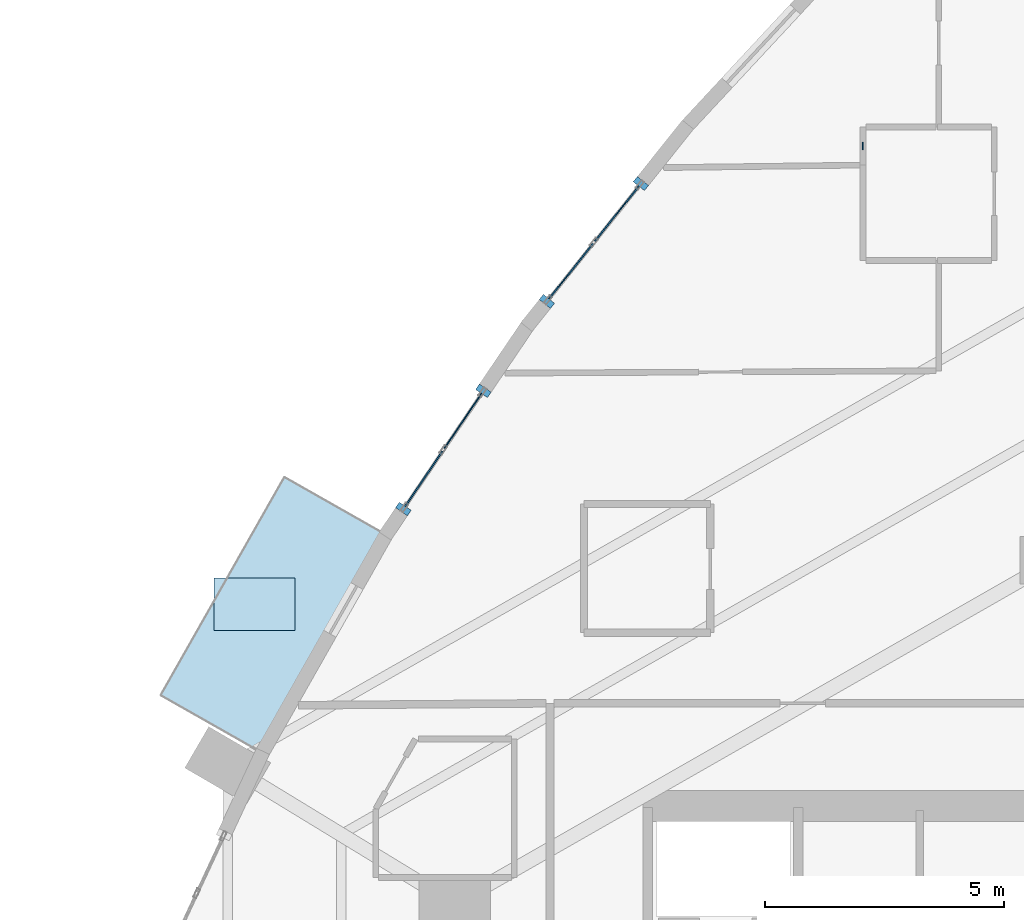
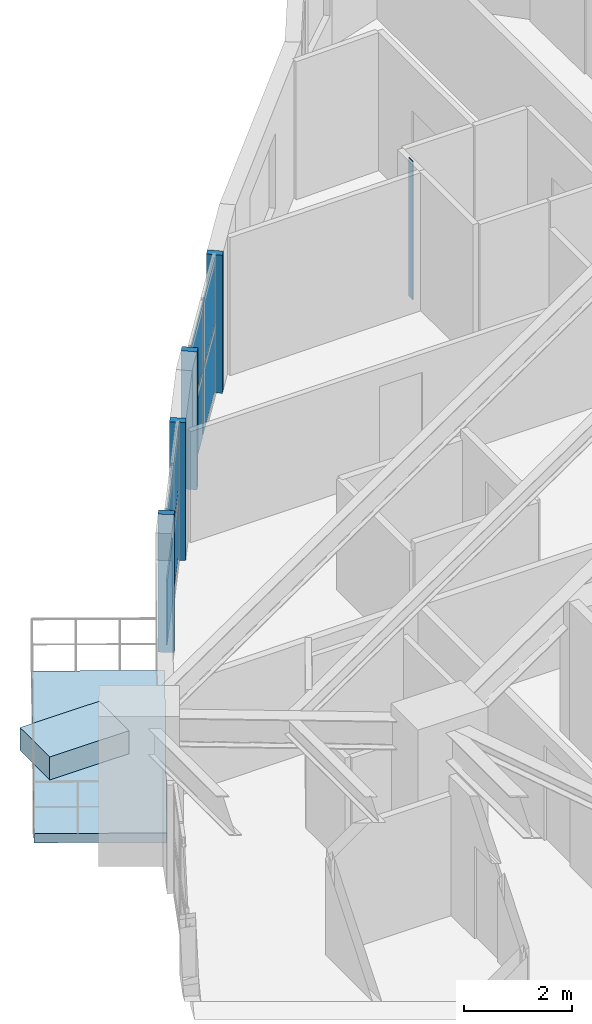
# One storey, part 9 of 17: 13 plates, 2 slabs, 2 elements without a shape of their own.
"""IFC4 building model written with IfcOpenShell, lengths in metres."""

import ifcopenshell
import ifcopenshell.guid

model = None  # the IFC model being written
_history = None  # IfcOwnerHistory: only IFC2X3 demands one
_inside = {}  # id of a spatial element -> (the spatial element, [elements in it])
_under = {}  # id of a project, library or spatial element -> (it, [spatial elements below it])
_declared = {}  # id of a project -> (the project, [libraries it declares])
_typed = {}  # id of a type object -> (the type object, [elements of that type])
_made_of = {}  # id of a material, layer set ... -> (it, [elements and type objects made of it])


def new_model(schema):
    """Start an empty IFC model of exactly this schema.

    Asked for "IFC4X3", IfcOpenShell would pick the latest addendum, in which some entities
    have other attributes; the version numbers below select the first issue.
    IFC2X3 requires an IfcOwnerHistory on every rooted entity: one is made here for all.
    """
    global model, _history
    if schema == "IFC4X3":
        model = ifcopenshell.file(schema_version=(4, 3, 0, 0))
    else:
        model = ifcopenshell.file(schema=schema)
    _inside.clear()
    _under.clear()
    _declared.clear()
    _typed.clear()
    _made_of.clear()
    _history = None
    if model.schema == "IFC2X3":
        org = make("IfcOrganization", Name="unknown")
        user = make(
            "IfcPersonAndOrganization",
            ThePerson=make("IfcPerson", FamilyName="unknown"),
            TheOrganization=org,
        )
        app = make(
            "IfcApplication",
            ApplicationDeveloper=org,
            Version="unknown",
            ApplicationFullName="unknown",
            ApplicationIdentifier="unknown",
        )
        _history = make(
            "IfcOwnerHistory",
            OwningUser=user,
            OwningApplication=app,
            ChangeAction="ADDED",
            CreationDate=0,
        )
    return model


def make(cls, **values):
    """One entity of the class cls with the attributes given. An attribute that is None is left unset."""
    return model.create_entity(
        cls, **{name: value for name, value in values.items() if value is not None}
    )


def rooted(cls, **values):
    """An entity with a GlobalId (a new one), such as an element, a storey or a relation."""
    return make(cls, GlobalId=ifcopenshell.guid.new(), OwnerHistory=_history, **values)


def si_unit(unit_type, name, prefix=None):
    """IfcSIUnit, for example si_unit("LENGTHUNIT", "METRE", prefix="MILLI")."""
    return make("IfcSIUnit", UnitType=unit_type, Prefix=prefix, Name=name)


def assignment(units):
    """IfcUnitAssignment: the units of a project."""
    return None if units is None else make("IfcUnitAssignment", Units=units)


def point(xyz):
    """IfcCartesianPoint."""
    return None if xyz is None else make("IfcCartesianPoint", Coordinates=xyz)


def direction(xyz):
    """IfcDirection."""
    return None if xyz is None else make("IfcDirection", DirectionRatios=xyz)


def frame(location, z_axis=None, x_axis=None):
    """IfcAxis2Placement3D, a coordinate frame: its origin and axes. An axis left out is left unset."""
    return make(
        "IfcAxis2Placement3D",
        Location=point(location),
        Axis=direction(z_axis),
        RefDirection=direction(x_axis),
    )


def frame_2d(location, x_axis=None):
    """IfcAxis2Placement2D, a coordinate frame in the plane: its origin and x axis."""
    return make(
        "IfcAxis2Placement2D", Location=point(location), RefDirection=direction(x_axis)
    )


def origin():
    """The frame at (0, 0, 0) with its axes left unset."""
    return frame((0.0, 0.0, 0.0))


def origin_2d():
    """The frame at (0, 0) in the plane with its x axis left unset."""
    return frame_2d((0.0, 0.0))


def place(relative_to, where):
    """IfcLocalPlacement: puts the frame where relative to a parent placement (None: the world)."""
    return make(
        "IfcLocalPlacement", PlacementRelTo=relative_to, RelativePlacement=where
    )


def context(
    kind, dimensions, precision=None, world=None, true_north=None, identifier=None
):
    """IfcGeometricRepresentationContext, for example the 3D "Model" context."""
    return make(
        "IfcGeometricRepresentationContext",
        ContextIdentifier=identifier,
        ContextType=kind,
        CoordinateSpaceDimension=dimensions,
        Precision=precision,
        WorldCoordinateSystem=world,
        TrueNorth=true_north,
    )


def subcontext(parent, identifier, kind, view, scale=None):
    """IfcGeometricRepresentationSubContext, for example "Body" below "Model"."""
    return make(
        "IfcGeometricRepresentationSubContext",
        ContextIdentifier=identifier,
        ContextType=kind,
        ParentContext=parent,
        TargetScale=scale,
        TargetView=view,
    )


def project(units=None, contexts=None):
    """IfcProject with its units and contexts."""
    return rooted(
        "IfcProject",
        Name="project",
        RepresentationContexts=contexts,
        UnitsInContext=assignment(units),
    )


def spatial(cls, under=None, at=None, **own):
    """A site, building, storey or space (cls), placed at a placement, below another one or the project."""
    s = rooted(cls, ObjectPlacement=at, **own)
    if under is not None:
        _under.setdefault(under.id(), (under, []))[1].append(s)
    return s


def polyline(points):
    """IfcPolyline through the points."""
    return make("IfcPolyline", Points=[point(p) for p in points])


def profile(cls, at=None, kind="AREA", **sizes):
    """A parametric profile (cls). Its sizes go by their IFC names, for example OverallWidth=200.0."""
    return make(cls, ProfileType=kind, Position=at, **sizes)


def rectangle(**sizes):
    """IfcRectangleProfileDef."""
    return profile("IfcRectangleProfileDef", **sizes)


def outline(outer, holes=None, kind="AREA"):
    """IfcArbitraryClosedProfileDef: a profile drawn as a closed curve; with holes, ...WithVoids."""
    if holes is None:
        return make("IfcArbitraryClosedProfileDef", ProfileType=kind, OuterCurve=outer)
    return make(
        "IfcArbitraryProfileDefWithVoids",
        ProfileType=kind,
        OuterCurve=outer,
        InnerCurves=holes,
    )


def extrude(swept, where, along, depth):
    """IfcExtrudedAreaSolid: the profile swept, set in the frame where, extruded along a direction by depth."""
    return make(
        "IfcExtrudedAreaSolid",
        SweptArea=swept,
        Position=where,
        ExtrudedDirection=direction(along),
        Depth=depth,
    )


def shape(context_of_items, identifier, shape_type, items):
    """IfcShapeRepresentation: the items that make up one representation, for example the "Body"."""
    return make(
        "IfcShapeRepresentation",
        ContextOfItems=context_of_items,
        RepresentationIdentifier=identifier,
        RepresentationType=shape_type,
        Items=items,
    )


def material(Name=None, Category=None):
    """IfcMaterial."""
    return make("IfcMaterial", Name=Name, Category=Category)


def layer(
    of_material, thickness, ventilated=None, Name=None, Category=None, Priority=None
):
    """IfcMaterialLayer: one layer of a wall or slab, of a material (None: an air gap)."""
    return make(
        "IfcMaterialLayer",
        Material=of_material,
        LayerThickness=thickness,
        IsVentilated=ventilated,
        Name=Name,
        Category=Category,
        Priority=Priority,
    )


def layer_set(layers, Name=None):
    """IfcMaterialLayerSet."""
    return make("IfcMaterialLayerSet", MaterialLayers=layers, LayerSetName=Name)


def made_of(thing, what):
    """Note that an element or type object is made of a material, layer set ...; save() writes the relation."""
    if what is not None:
        _made_of.setdefault(what.id(), (what, []))[1].append(thing)
    return thing


def type_object(cls, material=None, **own):
    """A type object (cls), such as IfcWallType, which elements share."""
    return made_of(rooted(cls, **own), material)


def element(
    cls,
    number,
    at=None,
    inside=None,
    cuts=None,
    type_object=None,
    material=None,
    context=None,
    identifier="Body",
    shape_type=None,
    held_by="IfcProductDefinitionShape",
    body=None,
    shapes=None,
    **own,
):
    """One element of the class cls, such as IfcWall. Its Tag is "e" and its number.

    at: its placement. inside: the storey or other place that contains it. cuts: it is an
    opening in that element (IfcRelVoidsElement). A single representation is given by context,
    identifier, shape_type and body (its items); several are given by shapes. held_by: the class
    of the entity that holds the representations. save() writes the other relations.
    """
    e = rooted(cls, Tag="e%d" % number, ObjectPlacement=at, **own)
    if body is not None:
        shapes = [shape(context, identifier, shape_type, body)]
    if shapes is not None:
        e.Representation = make(held_by, Representations=shapes)
    if inside is not None:
        _inside.setdefault(inside.id(), (inside, []))[1].append(e)
    if cuts is not None:
        rooted(
            "IfcRelVoidsElement", RelatingBuildingElement=cuts, RelatedOpeningElement=e
        )
    if type_object is not None:
        _typed.setdefault(type_object.id(), (type_object, []))[1].append(e)
    return made_of(e, material)


def aggregate(whole, parts):
    """IfcRelAggregates: a whole, such as a stair, and the parts it consists of."""
    return rooted("IfcRelAggregates", RelatingObject=whole, RelatedObjects=parts)


def save(model, path):
    """Write the relations noted so far, then the file.

    IfcRelAggregates (storeys below a building ...), IfcRelContainedInSpatialStructure (elements
    in a storey), IfcRelDefinesByType, IfcRelAssociatesMaterial and IfcRelDeclares: one each for
    every whole, place, type object, material and project.
    """
    for whole, parts in _under.values():
        aggregate(whole, parts)
    for where, things in _inside.values():
        rooted(
            "IfcRelContainedInSpatialStructure",
            RelatedElements=things,
            RelatingStructure=where,
        )
    for kind, things in _typed.values():
        rooted("IfcRelDefinesByType", RelatedObjects=things, RelatingType=kind)
    for what, things in _made_of.values():
        rooted("IfcRelAssociatesMaterial", RelatedObjects=things, RelatingMaterial=what)
    for by, libraries in _declared.values():
        rooted("IfcRelDeclares", RelatingContext=by, RelatedDefinitions=libraries)
    model.write(path)


model = new_model("IFC4")

# Units and contexts
model_context = context("Model", 3, precision=1e-05, world=origin(), true_north=direction((0.0, 1.0)))
body_context = subcontext(model_context, "Body", "Model", "MODEL_VIEW")
ifc_project = project(units=[si_unit("LENGTHUNIT", "METRE"), si_unit("AREAUNIT", "SQUARE_METRE"), si_unit("VOLUMEUNIT", "CUBIC_METRE"), si_unit("PLANEANGLEUNIT", "RADIAN"), si_unit("MASSUNIT", "GRAM", prefix="KILO")], contexts=[model_context])

# Site, building, storey
site_placement = place(None, origin())
site = spatial("IfcSite", under=ifc_project, at=site_placement, CompositionType="ELEMENT")
building_placement = place(site_placement, origin())
building = spatial("IfcBuilding", under=site, at=building_placement, Name="Miruveldt Soraemaru", CompositionType="ELEMENT")
storey_placement = place(building_placement, frame((0.0, 0.0, 53.0)))
storey = spatial("IfcBuildingStorey", under=building, at=storey_placement, Name="L14", CompositionType="ELEMENT", Elevation=53.0)

# Curtain wall, plates
ifc_material_1 = material(Name="Anodised aluminium EN AW-6063 T6", Category="aluminium")
ifc_layer_1 = layer(ifc_material_1, 0.199951171875, Name="Anodised aluminium EN AW-6063 T6", Category="aluminium")
ifc_layer_set_1 = layer_set([ifc_layer_1], Name="Anodised aluminium EN AW-6063 T6")
curtain_wall_type = type_object("IfcCurtainWallType", Name="CW-SYS-3", PredefinedType="USERDEFINED", material=ifc_layer_set_1)
curtain_wall_1_placement = place(storey_placement, origin())
curtain_wall_1 = element("IfcCurtainWall", 1, at=curtain_wall_1_placement, inside=storey, type_object=curtain_wall_type, Name="L14 Curtain Wall Bay 8", ObjectType="UNITISED GLAZING", PredefinedType="USERDEFINED")
ifc_material_2 = material(Name="Triple low-e insulated glazing", Category="glass")
ifc_layer_2 = layer(ifc_material_2, 0.030029296875, Name="Triple low-e insulated glazing", Category="glass")
ifc_layer_set_2 = layer_set([ifc_layer_2], Name="Triple low-e insulated glazing")
plate_type_1 = type_object("IfcPlateType", Name="CWP-3", PredefinedType="CURTAIN_PANEL", material=ifc_layer_set_2)
plate_1_placement = place(storey_placement, frame((34.802001953125, 64.862060546875, 0.070068359375), z_axis=(0.0, 0.0, 1.0), x_axis=(-0.623606144518, -0.78173868813, 0.0)))
plate_1 = element("IfcPlate", 2, at=plate_1_placement, type_object=plate_type_1, Name="CW-3 panel 1.1", PredefinedType="CURTAIN_PANEL", context=body_context, shape_type="SweptSolid", body=[
    extrude(rectangle(XDim=1.47509765625, YDim=0.030029296875, at=origin_2d()), origin(), (0.0, 0.0, 1.0), 1.45751953125),
])
plate_2_placement = place(storey_placement, frame((34.802001953125, 64.862060546875, 1.597412109375), z_axis=(0.0, 0.0, 1.0), x_axis=(-0.623606144518, -0.78173868813, 0.0)))
plate_2 = element("IfcPlate", 3, at=plate_2_placement, type_object=plate_type_1, Name="CW-3 panel 1.2", PredefinedType="CURTAIN_PANEL", context=body_context, shape_type="SweptSolid", body=[
    extrude(rectangle(XDim=1.47509765625, YDim=0.030029296875, at=origin_2d()), origin(), (0.0, 0.0, 1.0), 1.45751953125),
])
plate_3_placement = place(storey_placement, frame((33.83837890625, 63.654052734375, 0.070068359375), z_axis=(0.0, 0.0, 1.0), x_axis=(-0.623606144518, -0.78173868813, 0.0)))
plate_3 = element("IfcPlate", 4, at=plate_3_placement, type_object=plate_type_1, Name="CW-3 panel 2.1", PredefinedType="CURTAIN_PANEL", context=body_context, shape_type="SweptSolid", body=[
    extrude(rectangle(XDim=1.47509765625, YDim=0.030029296875, at=origin_2d()), origin(), (0.0, 0.0, 1.0), 1.45751953125),
])
plate_4_placement = place(storey_placement, frame((33.83837890625, 63.654052734375, 1.597412109375), z_axis=(0.0, 0.0, 1.0), x_axis=(-0.623606144518, -0.78173868813, 0.0)))
plate_4 = element("IfcPlate", 5, at=plate_4_placement, type_object=plate_type_1, Name="CW-3 panel 2.2", PredefinedType="CURTAIN_PANEL", context=body_context, shape_type="SweptSolid", body=[
    extrude(rectangle(XDim=1.47509765625, YDim=0.030029296875, at=origin_2d()), origin(), (0.0, 0.0, 1.0), 1.45751953125),
])
aggregate(curtain_wall_1, [plate_1, plate_2, plate_3, plate_4])

curtain_wall_2_placement = place(storey_placement, origin())
curtain_wall_2 = element("IfcCurtainWall", 6, at=curtain_wall_2_placement, inside=storey, type_object=curtain_wall_type, Name="L14 Curtain Wall Bay 9", ObjectType="UNITISED GLAZING", PredefinedType="USERDEFINED")
plate_5_placement = place(storey_placement, frame((31.5751953125, 60.515625, 0.070068359375), z_axis=(0.0, 0.0, 1.0), x_axis=(-0.560834099529, -0.827928205104, 0.0)))
plate_5 = element("IfcPlate", 7, at=plate_5_placement, type_object=plate_type_1, Name="CW-3 panel 1.1", PredefinedType="CURTAIN_PANEL", context=body_context, shape_type="SweptSolid", body=[
    extrude(rectangle(XDim=1.390625, YDim=0.030029296875, at=origin_2d()), origin(), (0.0, 0.0, 1.0), 1.45751953125),
])
plate_6_placement = place(storey_placement, frame((31.5751953125, 60.515625, 1.597412109375), z_axis=(0.0, 0.0, 1.0), x_axis=(-0.560834099529, -0.827928205104, 0.0)))
plate_6 = element("IfcPlate", 8, at=plate_6_placement, type_object=plate_type_1, Name="CW-3 panel 1.2", PredefinedType="CURTAIN_PANEL", context=body_context, shape_type="SweptSolid", body=[
    extrude(rectangle(XDim=1.390625, YDim=0.030029296875, at=origin_2d()), origin(), (0.0, 0.0, 1.0), 1.45751953125),
])
plate_7_placement = place(storey_placement, frame((30.756103515625, 59.306396484375, 0.070068359375), z_axis=(0.0, 0.0, 1.0), x_axis=(-0.560834099529, -0.827928205104, 0.0)))
plate_7 = element("IfcPlate", 9, at=plate_7_placement, type_object=plate_type_1, Name="CW-3 panel 2.1", PredefinedType="CURTAIN_PANEL", context=body_context, shape_type="SweptSolid", body=[
    extrude(rectangle(XDim=1.390625, YDim=0.030029296875, at=origin_2d()), origin(), (0.0, 0.0, 1.0), 1.45751953125),
])
plate_8_placement = place(storey_placement, frame((30.756103515625, 59.306396484375, 1.597412109375), z_axis=(0.0, 0.0, 1.0), x_axis=(-0.560834099529, -0.827928205104, 0.0)))
plate_8 = element("IfcPlate", 10, at=plate_8_placement, type_object=plate_type_1, Name="CW-3 panel 2.2", PredefinedType="CURTAIN_PANEL", context=body_context, shape_type="SweptSolid", body=[
    extrude(rectangle(XDim=1.390625, YDim=0.030029296875, at=origin_2d()), origin(), (0.0, 0.0, 1.0), 1.45751953125),
])
aggregate(curtain_wall_2, [plate_5, plate_6, plate_7, plate_8])

# Plates
ifc_layer_3 = layer(ifc_material_1, 0.030029296875, Name="Anodised aluminium EN AW-6063 T6", Category="aluminium")
ifc_layer_set_3 = layer_set([ifc_layer_3], Name="Anodised aluminium EN AW-6063 T6")
plate_type_2 = type_object("IfcPlateType", Name="PLT-JAMB-30", PredefinedType="SHEET", material=ifc_layer_set_3)
for number, where, z_axis, x_axis, name in (
    (11, (35.305419921875, 65.4931640625, 0.0), (0.0, 0.0, 1.0), (-0.623606756598, -0.781738199863, 0.0), "L14 Curtain Wall Jamb Closure Trim 8JL"),
    (12, (33.3349609375, 63.02294921875, 0.0), (0.0, 0.0, 1.0), (-0.623606756598, -0.781738199863, 0.0), "L14 Curtain Wall Jamb Closure Trim 8JR"),
    (13, (32.00439453125, 61.1494140625, 0.0), (0.0, 0.0, 1.0), (-0.560841311134, -0.827923319955, 0.0), "L14 Curtain Wall Jamb Closure Trim 9JL"),
    (14, (30.326904296875, 58.6728515625, 0.0), (0.0, 0.0, 1.0), (-0.560841311134, -0.827923319955, 0.0), "L14 Curtain Wall Jamb Closure Trim 9JR"),
):
    element("IfcPlate", number, at=place(storey_placement, frame(where, z_axis=z_axis, x_axis=x_axis)), inside=storey, type_object=plate_type_2, Name=name, PredefinedType="SHEET", context=body_context, shape_type="SweptSolid", body=[
        extrude(rectangle(XDim=0.139892578125, YDim=0.300048828125, at=origin_2d()), origin(), (0.0, 0.0, 1.0), 3.125),
    ])
ifc_layer_4 = layer(ifc_material_1, 0.02001953125, Name="Anodised aluminium EN AW-6063 T6", Category="aluminium")
ifc_layer_set_4 = layer_set([ifc_layer_4], Name="Anodised aluminium EN AW-6063 T6")
plate_type_3 = type_object("IfcPlateType", Name="PLT-PART-TRIM", PredefinedType="SHEET", material=ifc_layer_set_4)
plate_9_placement = place(storey_placement, frame((39.9599609375, 66.280517578125, 0.0), z_axis=(0.0, 0.0, 1.0), x_axis=(0.0, -1.0, 0.0)))
element("IfcPlate", 15, at=plate_9_placement, inside=storey, type_object=plate_type_3, Name="L14 Partition Step Corner Trim Plate 028", PredefinedType="SHEET", context=body_context, shape_type="SweptSolid", body=[
    extrude(rectangle(XDim=0.159912109375, YDim=0.02001953125, at=origin_2d()), origin(), (0.0, 0.0, 1.0), 3.125),
])

# Slabs
ifc_material_3 = material(Name="Precast concrete C45/55 (45 MPa)", Category="concrete")
ifc_layer_5 = layer(ifc_material_3, 0.179931640625, Name="Precast concrete C45/55 (45 MPa)", Category="concrete")
ifc_layer_set_5 = layer_set([ifc_layer_5], Name="Precast concrete C45/55 (45 MPa)")
slab_type_1 = type_object("IfcSlabType", Name="SLAB-PLTR-180", PredefinedType="USERDEFINED", material=ifc_layer_set_5)
slab_1_placement = place(storey_placement, origin())
element("IfcSlab", 16, at=slab_1_placement, inside=storey, type_object=slab_type_1, Name="L14 Sky Garden PLANTER Bed", ObjectType="PLANTER", PredefinedType="USERDEFINED", context=body_context, shape_type="SweptSolid", body=[
    extrude(outline(polyline([(26.35888671875, 56.125), (28.05908203125, 56.125), (28.05908203125, 57.22509765625), (26.35888671875, 57.22509765625), (26.35888671875, 56.125)])), origin(), (0.0, 0.0, 1.0), 0.52001953125),
])
ifc_material_4 = material(Name="Concrete C40/50 (40 MPa)", Category="concrete")
ifc_layer_6 = layer(ifc_material_4, 0.2099609375, Name="Concrete C40/50 (40 MPa)", Category="concrete")
ifc_layer_set_6 = layer_set([ifc_layer_6], Name="Concrete C40/50 (40 MPa)")
slab_type_2 = type_object("IfcSlabType", Name="SLAB-TERR-210", PredefinedType="ROOF", material=ifc_layer_set_6)
slab_2_placement = place(storey_placement, frame((0.0, 0.0, -0.2099609375)))
element("IfcSlab", 17, at=slab_2_placement, inside=storey, type_object=slab_type_2, Name="L14 Sky Garden Terrace Deck", PredefinedType="ROOF", context=body_context, shape_type="SweptSolid", body=[
    extrude(outline(polyline([(29.979736328125, 58.124755859375), (27.386474609375, 53.552490234375), (25.23779296875, 54.77099609375), (27.831298828125, 59.343505859375), (29.979736328125, 58.124755859375)])), origin(), (0.0, 0.0, 1.0), 0.2099609375),
])

save(model, "model.ifc")
